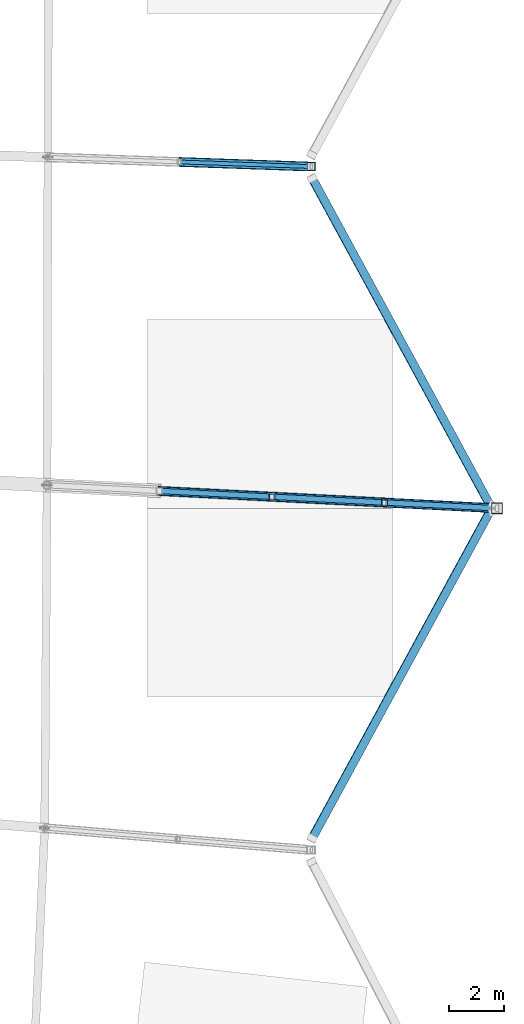
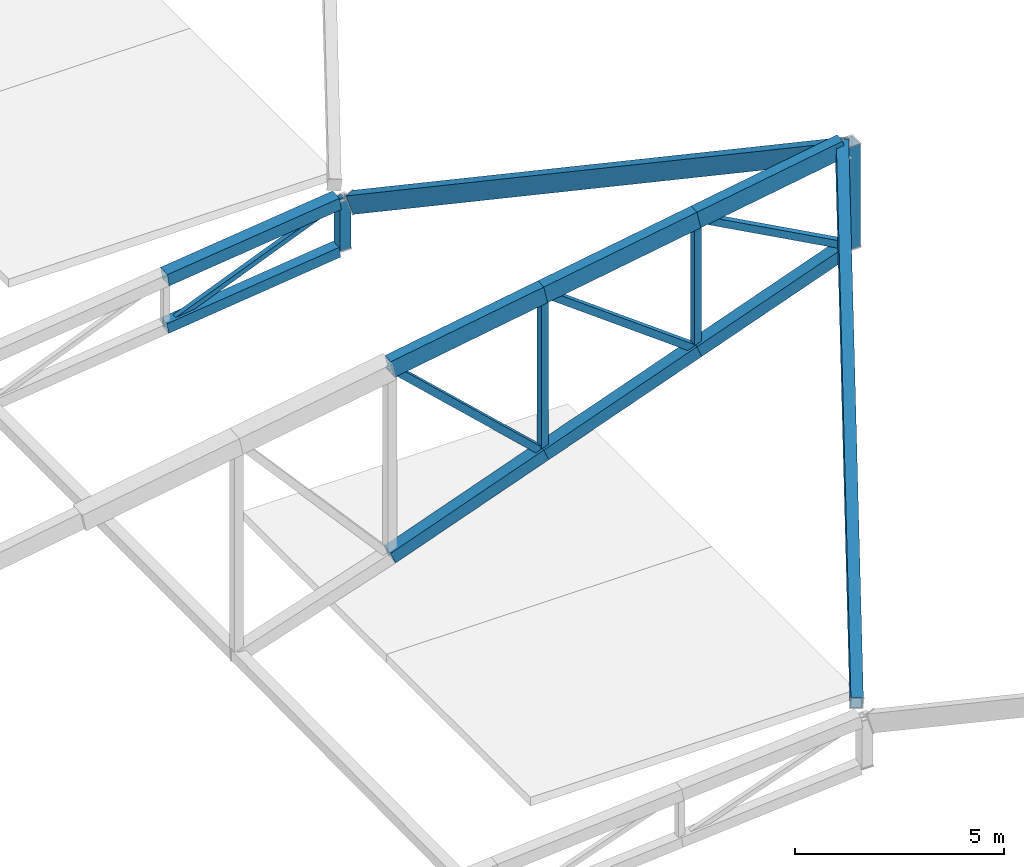
# One storey, part 58 of 188: 16 members, 2 beams.
"""IFC4 building model written with IfcOpenShell, lengths in metres."""

import ifcopenshell
import ifcopenshell.guid

model = None  # the IFC model being written
_history = None  # IfcOwnerHistory: only IFC2X3 demands one
_inside = {}  # id of a spatial element -> (the spatial element, [elements in it])
_under = {}  # id of a project, library or spatial element -> (it, [spatial elements below it])
_declared = {}  # id of a project -> (the project, [libraries it declares])
_typed = {}  # id of a type object -> (the type object, [elements of that type])
_made_of = {}  # id of a material, layer set ... -> (it, [elements and type objects made of it])


def new_model(schema):
    """Start an empty IFC model of exactly this schema.

    Asked for "IFC4X3", IfcOpenShell would pick the latest addendum, in which some entities
    have other attributes; the version numbers below select the first issue.
    IFC2X3 requires an IfcOwnerHistory on every rooted entity: one is made here for all.
    """
    global model, _history
    if schema == "IFC4X3":
        model = ifcopenshell.file(schema_version=(4, 3, 0, 0))
    else:
        model = ifcopenshell.file(schema=schema)
    _inside.clear()
    _under.clear()
    _declared.clear()
    _typed.clear()
    _made_of.clear()
    _history = None
    if model.schema == "IFC2X3":
        org = make("IfcOrganization", Name="unknown")
        user = make(
            "IfcPersonAndOrganization",
            ThePerson=make("IfcPerson", FamilyName="unknown"),
            TheOrganization=org,
        )
        app = make(
            "IfcApplication",
            ApplicationDeveloper=org,
            Version="unknown",
            ApplicationFullName="unknown",
            ApplicationIdentifier="unknown",
        )
        _history = make(
            "IfcOwnerHistory",
            OwningUser=user,
            OwningApplication=app,
            ChangeAction="ADDED",
            CreationDate=0,
        )
    return model


def make(cls, **values):
    """One entity of the class cls with the attributes given. An attribute that is None is left unset."""
    return model.create_entity(
        cls, **{name: value for name, value in values.items() if value is not None}
    )


def rooted(cls, **values):
    """An entity with a GlobalId (a new one), such as an element, a storey or a relation."""
    return make(cls, GlobalId=ifcopenshell.guid.new(), OwnerHistory=_history, **values)


def si_unit(unit_type, name, prefix=None):
    """IfcSIUnit, for example si_unit("LENGTHUNIT", "METRE", prefix="MILLI")."""
    return make("IfcSIUnit", UnitType=unit_type, Prefix=prefix, Name=name)


def assignment(units):
    """IfcUnitAssignment: the units of a project."""
    return None if units is None else make("IfcUnitAssignment", Units=units)


def point(xyz):
    """IfcCartesianPoint."""
    return None if xyz is None else make("IfcCartesianPoint", Coordinates=xyz)


def direction(xyz):
    """IfcDirection."""
    return None if xyz is None else make("IfcDirection", DirectionRatios=xyz)


def frame(location, z_axis=None, x_axis=None):
    """IfcAxis2Placement3D, a coordinate frame: its origin and axes. An axis left out is left unset."""
    return make(
        "IfcAxis2Placement3D",
        Location=point(location),
        Axis=direction(z_axis),
        RefDirection=direction(x_axis),
    )


def frame_2d(location, x_axis=None):
    """IfcAxis2Placement2D, a coordinate frame in the plane: its origin and x axis."""
    return make(
        "IfcAxis2Placement2D", Location=point(location), RefDirection=direction(x_axis)
    )


def origin():
    """The frame at (0, 0, 0) with its axes left unset."""
    return frame((0.0, 0.0, 0.0))


def origin_2d():
    """The frame at (0, 0) in the plane with its x axis left unset."""
    return frame_2d((0.0, 0.0))


def place(relative_to, where):
    """IfcLocalPlacement: puts the frame where relative to a parent placement (None: the world)."""
    return make(
        "IfcLocalPlacement", PlacementRelTo=relative_to, RelativePlacement=where
    )


def context(
    kind, dimensions, precision=None, world=None, true_north=None, identifier=None
):
    """IfcGeometricRepresentationContext, for example the 3D "Model" context."""
    return make(
        "IfcGeometricRepresentationContext",
        ContextIdentifier=identifier,
        ContextType=kind,
        CoordinateSpaceDimension=dimensions,
        Precision=precision,
        WorldCoordinateSystem=world,
        TrueNorth=true_north,
    )


def subcontext(parent, identifier, kind, view, scale=None):
    """IfcGeometricRepresentationSubContext, for example "Body" below "Model"."""
    return make(
        "IfcGeometricRepresentationSubContext",
        ContextIdentifier=identifier,
        ContextType=kind,
        ParentContext=parent,
        TargetScale=scale,
        TargetView=view,
    )


def project(units=None, contexts=None):
    """IfcProject with its units and contexts."""
    return rooted(
        "IfcProject",
        Name="project",
        RepresentationContexts=contexts,
        UnitsInContext=assignment(units),
    )


def spatial(cls, under=None, at=None, **own):
    """A site, building, storey or space (cls), placed at a placement, below another one or the project."""
    s = rooted(cls, ObjectPlacement=at, **own)
    if under is not None:
        _under.setdefault(under.id(), (under, []))[1].append(s)
    return s


def profile(cls, at=None, kind="AREA", **sizes):
    """A parametric profile (cls). Its sizes go by their IFC names, for example OverallWidth=200.0."""
    return make(cls, ProfileType=kind, Position=at, **sizes)


def hollow_rectangle(**sizes):
    """IfcRectangleHollowProfileDef."""
    return profile("IfcRectangleHollowProfileDef", **sizes)


def extrude(swept, where, along, depth):
    """IfcExtrudedAreaSolid: the profile swept, set in the frame where, extruded along a direction by depth."""
    return make(
        "IfcExtrudedAreaSolid",
        SweptArea=swept,
        Position=where,
        ExtrudedDirection=direction(along),
        Depth=depth,
    )


def shape(context_of_items, identifier, shape_type, items):
    """IfcShapeRepresentation: the items that make up one representation, for example the "Body"."""
    return make(
        "IfcShapeRepresentation",
        ContextOfItems=context_of_items,
        RepresentationIdentifier=identifier,
        RepresentationType=shape_type,
        Items=items,
    )


def material(Name=None, Category=None):
    """IfcMaterial."""
    return make("IfcMaterial", Name=Name, Category=Category)


def material_profile(
    of_material, cross_section, Name=None, Category=None, Priority=None
):
    """IfcMaterialProfile: a cross section and its material."""
    return make(
        "IfcMaterialProfile",
        Name=Name,
        Material=of_material,
        Profile=cross_section,
        Priority=Priority,
        Category=Category,
    )


def profile_set(profiles, Name=None, composite=None):
    """IfcMaterialProfileSet."""
    return make(
        "IfcMaterialProfileSet",
        Name=Name,
        MaterialProfiles=profiles,
        CompositeProfile=composite,
    )


def made_of(thing, what):
    """Note that an element or type object is made of a material, layer set ...; save() writes the relation."""
    if what is not None:
        _made_of.setdefault(what.id(), (what, []))[1].append(thing)
    return thing


def type_object(cls, material=None, **own):
    """A type object (cls), such as IfcWallType, which elements share."""
    return made_of(rooted(cls, **own), material)


def element(
    cls,
    number,
    at=None,
    inside=None,
    cuts=None,
    type_object=None,
    material=None,
    context=None,
    identifier="Body",
    shape_type=None,
    held_by="IfcProductDefinitionShape",
    body=None,
    shapes=None,
    **own,
):
    """One element of the class cls, such as IfcWall. Its Tag is "e" and its number.

    at: its placement. inside: the storey or other place that contains it. cuts: it is an
    opening in that element (IfcRelVoidsElement). A single representation is given by context,
    identifier, shape_type and body (its items); several are given by shapes. held_by: the class
    of the entity that holds the representations. save() writes the other relations.
    """
    e = rooted(cls, Tag="e%d" % number, ObjectPlacement=at, **own)
    if body is not None:
        shapes = [shape(context, identifier, shape_type, body)]
    if shapes is not None:
        e.Representation = make(held_by, Representations=shapes)
    if inside is not None:
        _inside.setdefault(inside.id(), (inside, []))[1].append(e)
    if cuts is not None:
        rooted(
            "IfcRelVoidsElement", RelatingBuildingElement=cuts, RelatedOpeningElement=e
        )
    if type_object is not None:
        _typed.setdefault(type_object.id(), (type_object, []))[1].append(e)
    return made_of(e, material)


def aggregate(whole, parts):
    """IfcRelAggregates: a whole, such as a stair, and the parts it consists of."""
    return rooted("IfcRelAggregates", RelatingObject=whole, RelatedObjects=parts)


def save(model, path):
    """Write the relations noted so far, then the file.

    IfcRelAggregates (storeys below a building ...), IfcRelContainedInSpatialStructure (elements
    in a storey), IfcRelDefinesByType, IfcRelAssociatesMaterial and IfcRelDeclares: one each for
    every whole, place, type object, material and project.
    """
    for whole, parts in _under.values():
        aggregate(whole, parts)
    for where, things in _inside.values():
        rooted(
            "IfcRelContainedInSpatialStructure",
            RelatedElements=things,
            RelatingStructure=where,
        )
    for kind, things in _typed.values():
        rooted("IfcRelDefinesByType", RelatedObjects=things, RelatingType=kind)
    for what, things in _made_of.values():
        rooted("IfcRelAssociatesMaterial", RelatedObjects=things, RelatingMaterial=what)
    for by, libraries in _declared.values():
        rooted("IfcRelDeclares", RelatingContext=by, RelatedDefinitions=libraries)
    model.write(path)


model = new_model("IFC4")

# Units and contexts
model_context = context("Model", 3, precision=1e-05, world=origin(), true_north=direction((0.0, 1.0)))
body_context = subcontext(model_context, "Body", "Model", "MODEL_VIEW")
ifc_project = project(units=[si_unit("LENGTHUNIT", "METRE"), si_unit("AREAUNIT", "SQUARE_METRE"), si_unit("VOLUMEUNIT", "CUBIC_METRE"), si_unit("PLANEANGLEUNIT", "RADIAN"), si_unit("MASSUNIT", "GRAM", prefix="KILO")], contexts=[model_context])

# Site, building, storey
site_placement = place(None, origin())
site = spatial("IfcSite", under=ifc_project, at=site_placement, CompositionType="ELEMENT")
building_placement = place(site_placement, origin())
building = spatial("IfcBuilding", under=site, at=building_placement, Name="Meseta Stadium", CompositionType="ELEMENT")
storey_placement = place(building_placement, frame((0.0, 0.0, 30.0)))
storey = spatial("IfcBuildingStorey", under=building, at=storey_placement, Name="ROOF", CompositionType="ELEMENT", Elevation=30.0)

# Beams
ifc_material_1 = material(Name="Steel S355", Category="steel")
ifc_material_profile_1 = material_profile(ifc_material_1, hollow_rectangle(XDim=0.300048828125, YDim=0.5, WallThickness=0.01611328125, at=origin_2d()), Name="RHS 500x300x16")
ifc_profile_set_1 = profile_set([ifc_material_profile_1], Name="Steel S355")
beam_type = type_object("IfcBeamType", Name="RHS 500x300x16 rim ring beam", PredefinedType="BEAM", material=ifc_profile_set_1)
for number, where, z_axis, x_axis, name in (
    (1, (94.63720703125, -43.31884765625, 3.78759765625), (0.43116895441, 0.792582276806, 0.43116895441), (-0.88639793598, 0.461331068812, 0.038371135486), "RIM RING BEAM 02"),
    (2, (101.26220703125, -31.355712890625, 10.410400390625), (-0.43116895441, 0.792582276806, -0.43116895441), (-0.885878256116, -0.462548846744, 0.035612915031), "RIM RING BEAM 03"),
):
    element("IfcBeam", number, at=place(storey_placement, frame(where, z_axis=z_axis, x_axis=x_axis)), inside=storey, type_object=beam_type, Name=name, PredefinedType="BEAM", context=body_context, shape_type="SweptSolid", body=[
        extrude(hollow_rectangle(XDim=0.300048828125, YDim=0.5, WallThickness=0.01611328125, at=origin_2d()), origin(), (0.0, 0.0, 1.0), 15.361328125),
    ])

# Members
ifc_material_2 = material(Name="Steel S355", Category="steel")
ifc_material_profile_2 = material_profile(ifc_material_2, hollow_rectangle(XDim=0.300048828125, YDim=0.5, WallThickness=0.01611328125, at=origin_2d()), Name="RHS 500x300x16")
ifc_profile_set_2 = profile_set([ifc_material_profile_2], Name="Steel S355")
member_type_1 = type_object("IfcMemberType", Name="RHS 500x300x16 top chord", PredefinedType="CHORD", material=ifc_profile_set_2)
member_1_placement = place(storey_placement, frame((89.055419921875, -30.615478515625, 7.876953125), z_axis=(0.976910444099, -0.050193084817, 0.207669541454), x_axis=(0.051311729794, 0.998682685534, 0.0)))
element("IfcMember", 3, at=member_1_placement, inside=storey, type_object=member_type_1, Name="ROOF TRUSS RT-02 top chord", PredefinedType="CHORD", context=body_context, shape_type="SweptSolid", body=[
    extrude(hollow_rectangle(XDim=0.300048828125, YDim=0.5, WallThickness=0.01611328125, at=origin_2d()), origin(), (0.0, 0.0, 1.0), 4.212158203125),
])
member_2_placement = place(storey_placement, frame((93.17041015625, -30.826904296875, 8.751708984375), z_axis=(0.976916712613, -0.050254348513, 0.207625232264), x_axis=(0.051373864887, 0.998679491131, 0.0)))
element("IfcMember", 4, at=member_2_placement, inside=storey, type_object=member_type_1, Name="ROOF TRUSS RT-02 top chord", PredefinedType="CHORD", context=body_context, shape_type="SweptSolid", body=[
    extrude(hollow_rectangle(XDim=0.300048828125, YDim=0.5, WallThickness=0.01611328125, at=origin_2d()), origin(), (0.0, 0.0, 1.0), 4.2119140625),
])
member_3_placement = place(storey_placement, frame((97.28515625, -31.03857421875, 9.626220703125), z_axis=(0.976918932841, -0.050202947527, 0.207627220559), x_axis=(0.051321340982, 0.99868219167, 0.0)))
element("IfcMember", 5, at=member_3_placement, inside=storey, type_object=member_type_1, Name="ROOF TRUSS RT-02 top chord", PredefinedType="CHORD", context=body_context, shape_type="SweptSolid", body=[
    extrude(hollow_rectangle(XDim=0.300048828125, YDim=0.5, WallThickness=0.01611328125, at=origin_2d()), origin(), (0.0, 0.0, 1.0), 4.011962890625),
])
ifc_material_3 = material(Name="Steel S355", Category="steel")
ifc_material_profile_3 = material_profile(ifc_material_3, hollow_rectangle(XDim=0.139892578125, YDim=0.139892578125, WallThickness=0.0048828125, at=origin_2d()), Name="SHS 140x140x5")
ifc_profile_set_3 = profile_set([ifc_material_profile_3], Name="Steel S355")
member_type_2 = type_object("IfcMemberType", Name="SHS 140x140x5 diagonal", PredefinedType="BRACE", material=ifc_profile_set_3)
member_4_placement = place(storey_placement, frame((89.78662109375, -18.580322265625, 1.522216796875), z_axis=(0.912575426206, -0.03216879292, 0.407641092442), x_axis=(0.035228677108, 0.999379277506, 0.0)))
element("IfcMember", 6, at=member_4_placement, inside=storey, type_object=member_type_2, Name="ROOF TRUSS RT-03 diagonal", PredefinedType="BRACE", context=body_context, shape_type="SweptSolid", body=[
    extrude(hollow_rectangle(XDim=0.139892578125, YDim=0.139892578125, WallThickness=0.0048828125, at=origin_2d()), origin(), (0.0, 0.0, 1.0), 5.274658203125),
])
ifc_material_4 = material(Name="Steel S355", Category="steel")
ifc_material_profile_4 = material_profile(ifc_material_4, hollow_rectangle(XDim=0.199951171875, YDim=0.199951171875, WallThickness=0.008056640625, at=origin_2d()), Name="SHS 200x200x8")
ifc_profile_set_4 = profile_set([ifc_material_profile_4], Name="Steel S355")
member_type_3 = type_object("IfcMemberType", Name="SHS 200x200x8 diagonal", PredefinedType="BRACE", material=ifc_profile_set_4)
member_5_placement = place(storey_placement, frame((89.055419921875, -30.615478515625, 7.876953125), z_axis=(0.734854246167, -0.037756379542, -0.677173310677), x_axis=(0.051311729794, 0.998682685534, 0.0)))
element("IfcMember", 7, at=member_5_placement, inside=storey, type_object=member_type_3, Name="ROOF TRUSS RT-02 diagonal", PredefinedType="BRACE", context=body_context, shape_type="SweptSolid", body=[
    extrude(hollow_rectangle(XDim=0.199951171875, YDim=0.199951171875, WallThickness=0.008056640625, at=origin_2d()), origin(), (0.0, 0.0, 1.0), 5.599853515625),
])
member_6_placement = place(storey_placement, frame((93.17041015625, -30.826904296875, 8.751708984375), z_axis=(0.81118973269, -0.041729055313, -0.583292296812), x_axis=(0.051373864887, 0.998679491131, 0.0)))
element("IfcMember", 8, at=member_6_placement, inside=storey, type_object=member_type_3, Name="ROOF TRUSS RT-02 diagonal", PredefinedType="BRACE", context=body_context, shape_type="SweptSolid", body=[
    extrude(hollow_rectangle(XDim=0.199951171875, YDim=0.199951171875, WallThickness=0.008056640625, at=origin_2d()), origin(), (0.0, 0.0, 1.0), 5.072509765625),
])
member_7_placement = place(storey_placement, frame((97.28515625, -31.03857421875, 9.626220703125), z_axis=(0.88756380778, -0.04560521286, -0.458421914485), x_axis=(0.051314766261, 0.998682529518, 0.0)))
element("IfcMember", 9, at=member_7_placement, inside=storey, type_object=member_type_3, Name="ROOF TRUSS RT-02 diagonal", PredefinedType="BRACE", context=body_context, shape_type="SweptSolid", body=[
    extrude(hollow_rectangle(XDim=0.199951171875, YDim=0.199951171875, WallThickness=0.008056640625, at=origin_2d()), origin(), (0.0, 0.0, 1.0), 4.635986328125),
])
ifc_material_5 = material(Name="Steel S355", Category="steel")
ifc_material_profile_5 = material_profile(ifc_material_5, hollow_rectangle(XDim=0.199951171875, YDim=0.199951171875, WallThickness=0.008056640625, at=origin_2d()), Name="SHS 200x200x8")
ifc_profile_set_5 = profile_set([ifc_material_profile_5], Name="Steel S355")
member_type_4 = type_object("IfcMemberType", Name="SHS 200x200x8 post", PredefinedType="POST", material=ifc_profile_set_5)
member_8_placement = place(storey_placement, frame((93.17041015625, -30.826904296875, 4.0849609375), z_axis=(0.0, 0.0, 1.0), x_axis=(1.0, 0.0, 0.0)))
element("IfcMember", 10, at=member_8_placement, inside=storey, type_object=member_type_4, Name="ROOF TRUSS RT-02 post", PredefinedType="POST", context=body_context, shape_type="SweptSolid", body=[
    extrude(hollow_rectangle(XDim=0.199951171875, YDim=0.199951171875, WallThickness=0.008056640625, at=origin_2d()), origin(), (0.0, 0.0, 1.0), 4.666748046875),
])
member_9_placement = place(storey_placement, frame((97.28515625, -31.03857421875, 5.79296875), z_axis=(0.0, 0.0, 1.0), x_axis=(1.0, 0.0, 0.0)))
element("IfcMember", 11, at=member_9_placement, inside=storey, type_object=member_type_4, Name="ROOF TRUSS RT-02 post", PredefinedType="POST", context=body_context, shape_type="SweptSolid", body=[
    extrude(hollow_rectangle(XDim=0.199951171875, YDim=0.199951171875, WallThickness=0.008056640625, at=origin_2d()), origin(), (0.0, 0.0, 1.0), 3.833251953125),
])
ifc_material_6 = material(Name="Steel S355", Category="steel")
ifc_material_profile_6 = material_profile(ifc_material_6, hollow_rectangle(XDim=0.300048828125, YDim=0.300048828125, WallThickness=0.010009765625, at=origin_2d()), Name="SHS 300x300x10")
ifc_profile_set_6 = profile_set([ifc_material_profile_6], Name="Steel S355")
member_type_5 = type_object("IfcMemberType", Name="SHS 300x300x10 bottom chord", PredefinedType="CHORD", material=ifc_profile_set_6)
member_10_placement = place(storey_placement, frame((89.78662109375, -18.580322265625, 1.522216796875), z_axis=(0.988329159432, -0.0348615163, 0.148290752569), x_axis=(0.035251261058, 0.999378481154, 0.0)))
element("IfcMember", 12, at=member_10_placement, inside=storey, type_object=member_type_5, Name="ROOF TRUSS RT-03 bottom chord", PredefinedType="CHORD", context=body_context, shape_type="SweptSolid", body=[
    extrude(hollow_rectangle(XDim=0.300048828125, YDim=0.300048828125, WallThickness=0.010009765625, at=origin_2d()), origin(), (0.0, 0.0, 1.0), 4.72021484375),
])
ifc_material_7 = material(Name="Steel S355", Category="steel")
ifc_material_profile_7 = material_profile(ifc_material_7, hollow_rectangle(XDim=0.300048828125, YDim=0.300048828125, WallThickness=0.010009765625, at=origin_2d()), Name="SHS 300x300x10")
ifc_profile_set_7 = profile_set([ifc_material_profile_7], Name="Steel S355")
member_type_6 = type_object("IfcMemberType", Name="SHS 300x300x10 rim post", PredefinedType="POST", material=ifc_profile_set_7)
member_11_placement = place(storey_placement, frame((94.60009765625, -18.75, 2.244384765625), z_axis=(0.0, 0.0, 1.0), x_axis=(1.0, 0.0, 0.0)))
element("IfcMember", 13, at=member_11_placement, inside=storey, type_object=member_type_6, Name="ROOF TRUSS RT-03 post", PredefinedType="POST", context=body_context, shape_type="SweptSolid", body=[
    extrude(hollow_rectangle(XDim=0.300048828125, YDim=0.300048828125, WallThickness=0.010009765625, at=origin_2d()), origin(), (0.0, 0.0, 1.0), 1.427978515625),
])
ifc_material_8 = material(Name="Steel S355", Category="steel")
ifc_material_profile_8 = material_profile(ifc_material_8, hollow_rectangle(XDim=0.35009765625, YDim=0.35009765625, WallThickness=0.010009765625, at=origin_2d()), Name="SHS 350x350x10")
ifc_profile_set_8 = profile_set([ifc_material_profile_8], Name="Steel S355")
member_type_7 = type_object("IfcMemberType", Name="SHS 350x350x10 bottom chord", PredefinedType="CHORD", material=ifc_profile_set_8)
member_12_placement = place(storey_placement, frame((89.055419921875, -30.615478515625, 2.376953125), z_axis=(0.92256155096, -0.04740067061, 0.382927357491), x_axis=(0.051311729794, 0.998682685534, 0.0)))
element("IfcMember", 14, at=member_12_placement, inside=storey, type_object=member_type_7, Name="ROOF TRUSS RT-02 bottom chord", PredefinedType="CHORD", context=body_context, shape_type="SweptSolid", body=[
    extrude(hollow_rectangle(XDim=0.35009765625, YDim=0.35009765625, WallThickness=0.010009765625, at=origin_2d()), origin(), (0.0, 0.0, 1.0), 4.46044921875),
])
member_13_placement = place(storey_placement, frame((93.17041015625, -30.826904296875, 4.0849609375), z_axis=(0.922551006194, -0.04745767903, 0.382945700684), x_axis=(0.051373864887, 0.998679491131, 0.0)))
element("IfcMember", 15, at=member_13_placement, inside=storey, type_object=member_type_7, Name="ROOF TRUSS RT-02 bottom chord", PredefinedType="CHORD", context=body_context, shape_type="SweptSolid", body=[
    extrude(hollow_rectangle(XDim=0.35009765625, YDim=0.35009765625, WallThickness=0.010009765625, at=origin_2d()), origin(), (0.0, 0.0, 1.0), 4.460205078125),
])
member_14_placement = place(storey_placement, frame((97.28515625, -31.03857421875, 5.79296875), z_axis=(0.922566141387, -0.047391900051, 0.382917383486), x_axis=(0.051302005967, 0.998683185091, 0.0)))
element("IfcMember", 16, at=member_14_placement, inside=storey, type_object=member_type_7, Name="ROOF TRUSS RT-02 bottom chord", PredefinedType="CHORD", context=body_context, shape_type="SweptSolid", body=[
    extrude(hollow_rectangle(XDim=0.35009765625, YDim=0.35009765625, WallThickness=0.010009765625, at=origin_2d()), origin(), (0.0, 0.0, 1.0), 4.26025390625),
])
ifc_material_9 = material(Name="Steel S355", Category="steel")
ifc_material_profile_9 = material_profile(ifc_material_9, hollow_rectangle(XDim=0.35009765625, YDim=0.35009765625, WallThickness=0.010009765625, at=origin_2d()), Name="SHS 350x350x10")
ifc_profile_set_9 = profile_set([ifc_material_profile_9], Name="Steel S355")
member_type_8 = type_object("IfcMemberType", Name="SHS 350x350x10 top chord", PredefinedType="CHORD", material=ifc_profile_set_9)
member_15_placement = place(storey_placement, frame((89.78662109375, -18.580322265625, 2.9501953125), z_axis=(0.988329159432, -0.0348615163, 0.148290752569), x_axis=(0.035251261058, 0.999378481154, 0.0)))
element("IfcMember", 17, at=member_15_placement, inside=storey, type_object=member_type_8, Name="ROOF TRUSS RT-03 top chord", PredefinedType="CHORD", context=body_context, shape_type="SweptSolid", body=[
    extrude(hollow_rectangle(XDim=0.35009765625, YDim=0.35009765625, WallThickness=0.010009765625, at=origin_2d()), origin(), (0.0, 0.0, 1.0), 4.72021484375),
])
ifc_material_10 = material(Name="Steel S355", Category="steel")
ifc_material_profile_10 = material_profile(ifc_material_10, hollow_rectangle(XDim=0.39990234375, YDim=0.39990234375, WallThickness=0.01416015625, at=origin_2d()), Name="SHS 400x400x14.2")
ifc_profile_set_10 = profile_set([ifc_material_profile_10], Name="Steel S355")
member_type_9 = type_object("IfcMemberType", Name="SHS 400x400x14.2 rim post", PredefinedType="POST", material=ifc_profile_set_10)
member_16_placement = place(storey_placement, frame((101.39990234375, -31.25, 7.5009765625), z_axis=(0.0, 0.0, 1.0), x_axis=(1.0, 0.0, 0.0)))
element("IfcMember", 18, at=member_16_placement, inside=storey, type_object=member_type_9, Name="ROOF TRUSS RT-02 post", PredefinedType="POST", context=body_context, shape_type="SweptSolid", body=[
    extrude(hollow_rectangle(XDim=0.39990234375, YDim=0.39990234375, WallThickness=0.01416015625, at=origin_2d()), origin(), (0.0, 0.0, 1.0), 3.0),
])

save(model, "model.ifc")
